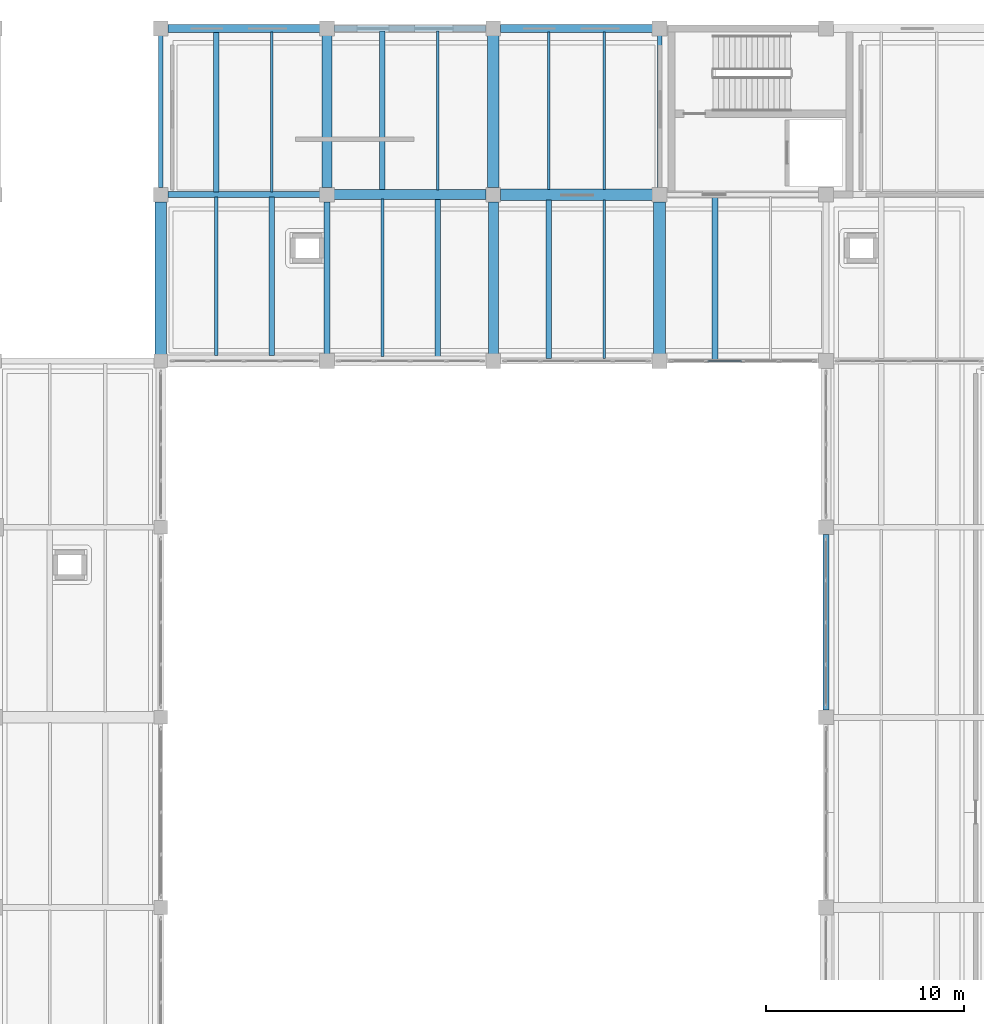
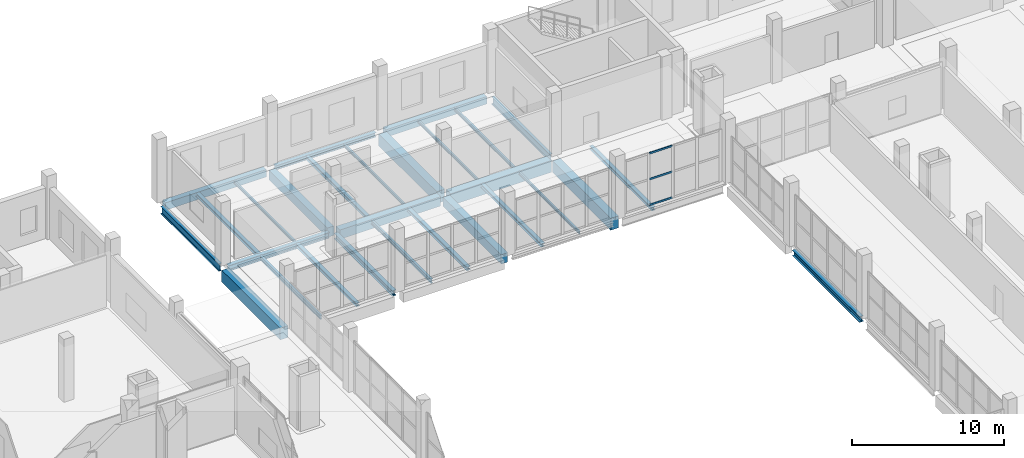
# One storey, part 21 of 66: 28 beams, 3 members, 1 element without a shape of its own.
"""IFC4 building model written with IfcOpenShell, lengths in metres."""

from ifc_helpers import new_model, si_unit, direction, frame, origin, origin_2d, place, context, subcontext, project, spatial, rectangle, hollow_rectangle, i_section, extrude, material, layer, layer_set, material_profile, profile_set, type_object, element, aggregate, save


model = new_model("IFC4")

# Units and contexts
model_context = context("Model", 3, precision=1e-05, world=origin(), true_north=direction((0.0, 1.0)))
body_context = subcontext(model_context, "Body", "Model", "MODEL_VIEW")
ifc_project = project(units=[si_unit("LENGTHUNIT", "METRE"), si_unit("AREAUNIT", "SQUARE_METRE"), si_unit("VOLUMEUNIT", "CUBIC_METRE"), si_unit("PLANEANGLEUNIT", "RADIAN"), si_unit("MASSUNIT", "GRAM", prefix="KILO")], contexts=[model_context])

# Site, building, storey
site_placement = place(None, origin())
site = spatial("IfcSite", under=ifc_project, at=site_placement, CompositionType="ELEMENT")
building_placement = place(site_placement, origin())
building = spatial("IfcBuilding", under=site, at=building_placement, Name="Zulmaris Art Gallery", CompositionType="ELEMENT")
storey_placement = place(building_placement, frame((0.0, 0.0, 5.39990234375)))
storey = spatial("IfcBuildingStorey", under=building, at=storey_placement, Name="L01", CompositionType="ELEMENT", Elevation=5.39990234375)

# Beams
ifc_material_1 = material(Name="Steel S355J2", Category="steel")
ifc_material_profile_1 = material_profile(ifc_material_1, i_section(OverallWidth=0.219970703125, OverallDepth=0.60009765625, WebThickness=0.011962890625, FlangeThickness=0.01904296875, FilletRadius=0.02392578125, at=origin_2d()), Name="IPE 600")
ifc_profile_set_1 = profile_set([ifc_material_profile_1], Name="Steel S355J2")
beam_type_1 = type_object("IfcBeamType", Name="BEAM-BM07", PredefinedType="BEAM", material=ifc_profile_set_1)
for number, where, z_axis, x_axis, name in (
    (1, (91.199951171875, 67.56005859375, -0.6298828125), (0.0, 1.0, 0.0), (-1.0, 0.0, 0.0), "L01 Y-girder (x=91.2, 67.2..75.6)"),
    (2, (116.39990234375, 67.56005859375, -0.6298828125), (0.0, 1.0, 0.0), (-1.0, 0.0, 0.0), "L01 Y-girder (x=116.4, 67.2..75.6)"),
):
    element("IfcBeam", number, at=place(storey_placement, frame(where, z_axis=z_axis, x_axis=x_axis)), inside=storey, type_object=beam_type_1, Name=name, PredefinedType="BEAM", context=body_context, shape_type="SweptSolid", body=[
        extrude(i_section(OverallWidth=0.219970703125, OverallDepth=0.60009765625, WebThickness=0.011962890625, FlangeThickness=0.01904296875, FilletRadius=0.02392578125, at=origin_2d()), origin(), (0.0, 0.0, 1.0), 7.679931640625),
    ])
ifc_material_profile_2 = material_profile(ifc_material_1, i_section(OverallWidth=0.300048828125, OverallDepth=0.449951171875, WebThickness=0.013916015625, FlangeThickness=0.02587890625, FilletRadius=0.027099609375, at=origin_2d()), Name="HEB 450")
ifc_profile_set_2 = profile_set([ifc_material_profile_2], Name="Steel S355J2")
beam_type_2 = type_object("IfcBeamType", Name="BEAM-BM13", PredefinedType="BEAM", material=ifc_profile_set_2)
beam_1_placement = place(storey_placement, frame((91.56005859375, 67.199951171875, -0.554931640625), z_axis=(1.0, 0.0, 0.0), x_axis=(0.0, 1.0, 0.0)))
element("IfcBeam", 3, at=beam_1_placement, inside=storey, type_object=beam_type_2, Name="L01 X-girder (91.2..99.6, y=67.2)", PredefinedType="BEAM", context=body_context, shape_type="SweptSolid", body=[
    extrude(i_section(OverallWidth=0.300048828125, OverallDepth=0.449951171875, WebThickness=0.013916015625, FlangeThickness=0.02587890625, FilletRadius=0.027099609375, at=origin_2d()), origin(), (0.0, 0.0, 1.0), 7.679931640625),
])
beam_2_placement = place(storey_placement, frame((99.60009765625, 59.159912109375, -0.554931640625), z_axis=(0.0, 1.0, 0.0), x_axis=(-1.0, 0.0, 0.0)))
element("IfcBeam", 4, at=beam_2_placement, inside=storey, type_object=beam_type_2, Name="L01 Y-girder (x=99.6, 58.8..67.2)", PredefinedType="BEAM", context=body_context, shape_type="SweptSolid", body=[
    extrude(i_section(OverallWidth=0.300048828125, OverallDepth=0.449951171875, WebThickness=0.013916015625, FlangeThickness=0.02587890625, FilletRadius=0.027099609375, at=origin_2d()), origin(), (0.0, 0.0, 1.0), 7.68017578125),
])
beam_3_placement = place(storey_placement, frame((124.800048828125, 41.159912109375, -0.554931640625), z_axis=(0.0, 1.0, 0.0), x_axis=(-1.0, 0.0, 0.0)))
element("IfcBeam", 5, at=beam_3_placement, inside=storey, type_object=beam_type_2, Name="L01 Y-girder (x=124.8, 40.8..50.4)", PredefinedType="BEAM", context=body_context, shape_type="SweptSolid", body=[
    extrude(i_section(OverallWidth=0.300048828125, OverallDepth=0.449951171875, WebThickness=0.013916015625, FlangeThickness=0.02587890625, FilletRadius=0.027099609375, at=origin_2d()), origin(), (0.0, 0.0, 1.0), 8.880126953125),
])
ifc_material_2 = material(Name="Concrete C40/50", Category="concrete")
ifc_material_profile_3 = material_profile(ifc_material_2, rectangle(XDim=0.5, YDim=0.75, at=origin_2d()), Name="RC 500x750")
ifc_profile_set_3 = profile_set([ifc_material_profile_3], Name="Concrete C40/50")
beam_type_3 = type_object("IfcBeamType", Name="BEAM-BM20", PredefinedType="BEAM", material=ifc_profile_set_3)
for number, where, z_axis, x_axis, name in (
    (6, (99.9599609375, 67.199951171875, -0.704833984375), (1.0, 0.0, 0.0), (0.0, 1.0, 0.0), "L01 X-girder (99.6..108.0, y=67.2)"),
    (7, (99.60009765625, 67.56005859375, -0.704833984375), (0.0, 1.0, 0.0), (-1.0, 0.0, 0.0), "L01 Y-girder (x=99.6, 67.2..75.6)"),
):
    element("IfcBeam", number, at=place(storey_placement, frame(where, z_axis=z_axis, x_axis=x_axis)), inside=storey, type_object=beam_type_3, Name=name, PredefinedType="BEAM", context=body_context, shape_type="SweptSolid", body=[
        extrude(rectangle(XDim=0.5, YDim=0.75, at=origin_2d()), origin(), (0.0, 0.0, 1.0), 7.679931640625),
    ])
beam_4_placement = place(storey_placement, frame((108.0, 59.159912109375, -0.704833984375), z_axis=(0.0, 1.0, 0.0), x_axis=(-1.0, 0.0, 0.0)))
element("IfcBeam", 8, at=beam_4_placement, inside=storey, type_object=beam_type_3, Name="L01 Y-girder (x=108.0, 58.8..67.2)", PredefinedType="BEAM", context=body_context, shape_type="SweptSolid", body=[
    extrude(rectangle(XDim=0.5, YDim=0.75, at=origin_2d()), origin(), (0.0, 0.0, 1.0), 7.68017578125),
])
ifc_material_profile_4 = material_profile(ifc_material_2, rectangle(XDim=0.60009765625, YDim=0.949951171875, at=origin_2d()), Name="RC 600x950")
ifc_profile_set_4 = profile_set([ifc_material_profile_4], Name="Concrete C40/50")
beam_type_4 = type_object("IfcBeamType", Name="BEAM-BM22", PredefinedType="BEAM", material=ifc_profile_set_4)
beam_5_placement = place(storey_placement, frame((108.360107421875, 67.199951171875, -0.804931640625), z_axis=(1.0, 0.0, 0.0), x_axis=(0.0, 1.0, 0.0)))
element("IfcBeam", 9, at=beam_5_placement, inside=storey, type_object=beam_type_4, Name="L01 X-girder (108.0..116.4, y=67.2)", PredefinedType="BEAM", context=body_context, shape_type="SweptSolid", body=[
    extrude(rectangle(XDim=0.60009765625, YDim=0.949951171875, at=origin_2d()), origin(), (0.0, 0.0, 1.0), 7.679931640625),
])
beam_6_placement = place(storey_placement, frame((91.199951171875, 59.135009765625, -0.804931640625), z_axis=(0.0, 1.0, 0.0), x_axis=(-1.0, 0.0, 0.0)))
element("IfcBeam", 10, at=beam_6_placement, inside=storey, type_object=beam_type_4, Name="L01 Y-girder (x=91.2, 58.8..67.2)", PredefinedType="BEAM", context=body_context, shape_type="SweptSolid", body=[
    extrude(rectangle(XDim=0.60009765625, YDim=0.949951171875, at=origin_2d()), origin(), (0.0, 0.0, 1.0), 7.705078125),
])
beam_7_placement = place(storey_placement, frame((108.0, 67.56005859375, -0.804931640625), z_axis=(0.0, 1.0, 0.0), x_axis=(-1.0, 0.0, 0.0)))
element("IfcBeam", 11, at=beam_7_placement, inside=storey, type_object=beam_type_4, Name="L01 Y-girder (x=108.0, 67.2..75.6)", PredefinedType="BEAM", context=body_context, shape_type="SweptSolid", body=[
    extrude(rectangle(XDim=0.60009765625, YDim=0.949951171875, at=origin_2d()), origin(), (0.0, 0.0, 1.0), 7.679931640625),
])
beam_8_placement = place(storey_placement, frame((116.39990234375, 59.159912109375, -0.804931640625), z_axis=(0.0, 1.0, 0.0), x_axis=(-1.0, 0.0, 0.0)))
element("IfcBeam", 12, at=beam_8_placement, inside=storey, type_object=beam_type_4, Name="L01 Y-girder (x=116.4, 58.8..67.2)", PredefinedType="BEAM", context=body_context, shape_type="SweptSolid", body=[
    extrude(rectangle(XDim=0.60009765625, YDim=0.949951171875, at=origin_2d()), origin(), (0.0, 0.0, 1.0), 7.68017578125),
])
ifc_material_profile_5 = material_profile(ifc_material_1, i_section(OverallWidth=0.1201171875, OverallDepth=0.239990234375, WebThickness=0.006103515625, FlangeThickness=0.009765625, FilletRadius=0.014892578125, at=origin_2d()), Name="IPE 240")
ifc_profile_set_5 = profile_set([ifc_material_profile_5], Name="Steel S355J2")
beam_type_5 = type_object("IfcBeamType", Name="BEAM-JS01", PredefinedType="JOIST", material=ifc_profile_set_5)
beam_9_placement = place(storey_placement, frame((96.800048828125, 67.324951171875, -0.449951171875), z_axis=(0.0, 1.0, 0.0), x_axis=(-1.0, 0.0, 0.0)))
element("IfcBeam", 13, at=beam_9_placement, inside=storey, type_object=beam_type_5, Name="L01 secondary joist at x=96.8", PredefinedType="JOIST", context=body_context, shape_type="SweptSolid", body=[
    extrude(i_section(OverallWidth=0.1201171875, OverallDepth=0.239990234375, WebThickness=0.006103515625, FlangeThickness=0.009765625, FilletRadius=0.014892578125, at=origin_2d()), origin(), (0.0, 0.0, 1.0), 8.10009765625),
])
beam_10_placement = place(storey_placement, frame((105.199951171875, 67.425048828125, -0.449951171875), z_axis=(0.0, 1.0, 0.0), x_axis=(-1.0, 0.0, 0.0)))
element("IfcBeam", 14, at=beam_10_placement, inside=storey, type_object=beam_type_5, Name="L01 secondary joist at x=105.2", PredefinedType="JOIST", context=body_context, shape_type="SweptSolid", body=[
    extrude(i_section(OverallWidth=0.1201171875, OverallDepth=0.239990234375, WebThickness=0.006103515625, FlangeThickness=0.009765625, FilletRadius=0.014892578125, at=origin_2d()), origin(), (0.0, 0.0, 1.0), 8.050048828125),
])
beam_11_placement = place(storey_placement, frame((113.60009765625, 58.925048828125, -0.449951171875), z_axis=(0.0, 1.0, 0.0), x_axis=(-1.0, 0.0, 0.0)))
element("IfcBeam", 15, at=beam_11_placement, inside=storey, type_object=beam_type_5, Name="L01 secondary joist at x=113.6", PredefinedType="JOIST", context=body_context, shape_type="SweptSolid", body=[
    extrude(i_section(OverallWidth=0.1201171875, OverallDepth=0.239990234375, WebThickness=0.006103515625, FlangeThickness=0.009765625, FilletRadius=0.014892578125, at=origin_2d()), origin(), (0.0, 0.0, 1.0), 8.0),
])
beam_12_placement = place(storey_placement, frame((110.800048828125, 67.47509765625, -0.449951171875), z_axis=(0.0, 1.0, 0.0), x_axis=(-1.0, 0.0, 0.0)))
element("IfcBeam", 16, at=beam_12_placement, inside=storey, type_object=beam_type_5, Name="L01 secondary joist at x=110.8", PredefinedType="JOIST", context=body_context, shape_type="SweptSolid", body=[
    extrude(i_section(OverallWidth=0.1201171875, OverallDepth=0.239990234375, WebThickness=0.006103515625, FlangeThickness=0.009765625, FilletRadius=0.014892578125, at=origin_2d()), origin(), (0.0, 0.0, 1.0), 7.949951171875),
])
ifc_material_profile_6 = material_profile(ifc_material_1, i_section(OverallWidth=0.135009765625, OverallDepth=0.27001953125, WebThickness=0.006591796875, FlangeThickness=0.01025390625, FilletRadius=0.014892578125, at=origin_2d()), Name="IPE 270")
ifc_profile_set_6 = profile_set([ifc_material_profile_6], Name="Steel S355J2")
beam_type_6 = type_object("IfcBeamType", Name="BEAM-JS02", PredefinedType="JOIST", material=ifc_profile_set_6)
beam_13_placement = place(storey_placement, frame((113.60009765625, 67.47509765625, -0.46484375), z_axis=(0.0, 1.0, 0.0), x_axis=(-1.0, 0.0, 0.0)))
element("IfcBeam", 17, at=beam_13_placement, inside=storey, type_object=beam_type_6, Name="L01 secondary joist at x=113.6", PredefinedType="JOIST", context=body_context, shape_type="SweptSolid", body=[
    extrude(i_section(OverallWidth=0.135009765625, OverallDepth=0.27001953125, WebThickness=0.006591796875, FlangeThickness=0.01025390625, FilletRadius=0.014892578125, at=origin_2d()), origin(), (0.0, 0.0, 1.0), 7.949951171875),
])
ifc_material_profile_7 = material_profile(ifc_material_1, i_section(OverallWidth=0.159912109375, OverallDepth=0.330078125, WebThickness=0.007568359375, FlangeThickness=0.011474609375, FilletRadius=0.01806640625, at=origin_2d()), Name="IPE 330")
ifc_profile_set_7 = profile_set([ifc_material_profile_7], Name="Steel S355J2")
beam_type_7 = type_object("IfcBeamType", Name="BEAM-JS03", PredefinedType="JOIST", material=ifc_profile_set_7)
beam_14_placement = place(storey_placement, frame((94.0, 59.074951171875, -0.494873046875), z_axis=(0.0, 1.0, 0.0), x_axis=(-1.0, 0.0, 0.0)))
element("IfcBeam", 18, at=beam_14_placement, inside=storey, type_object=beam_type_7, Name="L01 secondary joist at x=94.0", PredefinedType="JOIST", context=body_context, shape_type="SweptSolid", body=[
    extrude(i_section(OverallWidth=0.159912109375, OverallDepth=0.330078125, WebThickness=0.007568359375, FlangeThickness=0.011474609375, FilletRadius=0.01806640625, at=origin_2d()), origin(), (0.0, 0.0, 1.0), 8.0),
])
beam_15_placement = place(storey_placement, frame((102.39990234375, 59.02490234375, -0.494873046875), z_axis=(0.0, 1.0, 0.0), x_axis=(-1.0, 0.0, 0.0)))
element("IfcBeam", 19, at=beam_15_placement, inside=storey, type_object=beam_type_7, Name="L01 secondary joist at x=102.4", PredefinedType="JOIST", context=body_context, shape_type="SweptSolid", body=[
    extrude(i_section(OverallWidth=0.159912109375, OverallDepth=0.330078125, WebThickness=0.007568359375, FlangeThickness=0.011474609375, FilletRadius=0.01806640625, at=origin_2d()), origin(), (0.0, 0.0, 1.0), 7.9501953125),
])
ifc_material_profile_8 = material_profile(ifc_material_1, i_section(OverallWidth=0.280029296875, OverallDepth=0.27001953125, WebThickness=0.008056640625, FlangeThickness=0.012939453125, FilletRadius=0.02392578125, at=origin_2d()), Name="HEA 280")
ifc_profile_set_8 = profile_set([ifc_material_profile_8], Name="Steel S355J2")
beam_type_8 = type_object("IfcBeamType", Name="BEAM-JS04", PredefinedType="JOIST", material=ifc_profile_set_8)
beam_16_placement = place(storey_placement, frame((96.800048828125, 59.074951171875, -0.46484375), z_axis=(0.0, 1.0, 0.0), x_axis=(-1.0, 0.0, 0.0)))
element("IfcBeam", 20, at=beam_16_placement, inside=storey, type_object=beam_type_8, Name="L01 secondary joist at x=96.8", PredefinedType="JOIST", context=body_context, shape_type="SweptSolid", body=[
    extrude(i_section(OverallWidth=0.280029296875, OverallDepth=0.27001953125, WebThickness=0.008056640625, FlangeThickness=0.012939453125, FilletRadius=0.02392578125, at=origin_2d()), origin(), (0.0, 0.0, 1.0), 8.0),
])
beam_17_placement = place(storey_placement, frame((94.0, 67.324951171875, -0.46484375), z_axis=(0.0, 1.0, 0.0), x_axis=(-1.0, 0.0, 0.0)))
element("IfcBeam", 21, at=beam_17_placement, inside=storey, type_object=beam_type_8, Name="L01 secondary joist at x=94.0", PredefinedType="JOIST", context=body_context, shape_type="SweptSolid", body=[
    extrude(i_section(OverallWidth=0.280029296875, OverallDepth=0.27001953125, WebThickness=0.008056640625, FlangeThickness=0.012939453125, FilletRadius=0.02392578125, at=origin_2d()), origin(), (0.0, 0.0, 1.0), 8.10009765625),
])
beam_18_placement = place(storey_placement, frame((105.199951171875, 59.02490234375, -0.46484375), z_axis=(0.0, 1.0, 0.0), x_axis=(-1.0, 0.0, 0.0)))
element("IfcBeam", 22, at=beam_18_placement, inside=storey, type_object=beam_type_8, Name="L01 secondary joist at x=105.2", PredefinedType="JOIST", context=body_context, shape_type="SweptSolid", body=[
    extrude(i_section(OverallWidth=0.280029296875, OverallDepth=0.27001953125, WebThickness=0.008056640625, FlangeThickness=0.012939453125, FilletRadius=0.02392578125, at=origin_2d()), origin(), (0.0, 0.0, 1.0), 7.9501953125),
])
beam_19_placement = place(storey_placement, frame((102.39990234375, 67.425048828125, -0.46484375), z_axis=(0.0, 1.0, 0.0), x_axis=(-1.0, 0.0, 0.0)))
element("IfcBeam", 23, at=beam_19_placement, inside=storey, type_object=beam_type_8, Name="L01 secondary joist at x=102.4", PredefinedType="JOIST", context=body_context, shape_type="SweptSolid", body=[
    extrude(i_section(OverallWidth=0.280029296875, OverallDepth=0.27001953125, WebThickness=0.008056640625, FlangeThickness=0.012939453125, FilletRadius=0.02392578125, at=origin_2d()), origin(), (0.0, 0.0, 1.0), 8.050048828125),
])
beam_20_placement = place(storey_placement, frame((110.800048828125, 58.925048828125, -0.46484375), z_axis=(0.0, 1.0, 0.0), x_axis=(-1.0, 0.0, 0.0)))
element("IfcBeam", 24, at=beam_20_placement, inside=storey, type_object=beam_type_8, Name="L01 secondary joist at x=110.8", PredefinedType="JOIST", context=body_context, shape_type="SweptSolid", body=[
    extrude(i_section(OverallWidth=0.280029296875, OverallDepth=0.27001953125, WebThickness=0.008056640625, FlangeThickness=0.012939453125, FilletRadius=0.02392578125, at=origin_2d()), origin(), (0.0, 0.0, 1.0), 8.0),
])
beam_21_placement = place(storey_placement, frame((119.199951171875, 58.885009765625, -0.46484375), z_axis=(0.0, 1.0, 0.0), x_axis=(-1.0, 0.0, 0.0)))
element("IfcBeam", 25, at=beam_21_placement, inside=storey, type_object=beam_type_8, Name="L01 secondary joist at x=119.2", PredefinedType="JOIST", context=body_context, shape_type="SweptSolid", body=[
    extrude(i_section(OverallWidth=0.280029296875, OverallDepth=0.27001953125, WebThickness=0.008056640625, FlangeThickness=0.012939453125, FilletRadius=0.02392578125, at=origin_2d()), origin(), (0.0, 0.0, 1.0), 8.22998046875),
])
ifc_material_profile_9 = material_profile(ifc_material_1, i_section(OverallWidth=0.300048828125, OverallDepth=0.35009765625, WebThickness=0.010009765625, FlangeThickness=0.017578125, FilletRadius=0.027099609375, at=origin_2d()), Name="HEA 360")
ifc_profile_set_9 = profile_set([ifc_material_profile_9], Name="Steel S355J2")
beam_type_9 = type_object("IfcBeamType", Name="BEAM-SP01", PredefinedType="SPANDREL", material=ifc_profile_set_9)
beam_22_placement = place(storey_placement, frame((99.9599609375, 75.60009765625, -0.5048828125), z_axis=(1.0, 0.0, 0.0), x_axis=(0.0, 1.0, 0.0)))
element("IfcBeam", 26, at=beam_22_placement, inside=storey, type_object=beam_type_9, Name="L01 X-girder (99.6..108.0, y=75.6)", PredefinedType="SPANDREL", context=body_context, shape_type="SweptSolid", body=[
    extrude(i_section(OverallWidth=0.300048828125, OverallDepth=0.35009765625, WebThickness=0.010009765625, FlangeThickness=0.017578125, FilletRadius=0.027099609375, at=origin_2d()), origin(), (0.0, 0.0, 1.0), 7.679931640625),
])
ifc_material_profile_10 = material_profile(ifc_material_2, rectangle(XDim=0.39990234375, YDim=0.60009765625, at=origin_2d()), Name="RC 400x600")
ifc_profile_set_10 = profile_set([ifc_material_profile_10], Name="Concrete C40/50")
beam_type_10 = type_object("IfcBeamType", Name="BEAM-SP03", PredefinedType="SPANDREL", material=ifc_profile_set_10)
for number, where, z_axis, x_axis, name in (
    (27, (91.56005859375, 75.60009765625, -0.6298828125), (1.0, 0.0, 0.0), (0.0, 1.0, 0.0), "L01 X-girder (91.2..99.6, y=75.6)"),
    (28, (108.360107421875, 75.60009765625, -0.6298828125), (1.0, 0.0, 0.0), (0.0, 1.0, 0.0), "L01 X-girder (108.0..116.4, y=75.6)"),
):
    element("IfcBeam", number, at=place(storey_placement, frame(where, z_axis=z_axis, x_axis=x_axis)), inside=storey, type_object=beam_type_10, Name=name, PredefinedType="SPANDREL", context=body_context, shape_type="SweptSolid", body=[
        extrude(rectangle(XDim=0.39990234375, YDim=0.60009765625, at=origin_2d()), origin(), (0.0, 0.0, 1.0), 7.679931640625),
    ])

# Curtain wall, members
ifc_material_3 = material(Name="Unitised Low-E Gallery Curtain Wall", Category="aluminium")
ifc_layer = layer(ifc_material_3, 0.179931640625)
ifc_layer_set = layer_set([ifc_layer], Name="Unitised Low-E Gallery Curtain Wall")
curtain_wall_type = type_object("IfcCurtainWallType", Name="CW-CW01", PredefinedType="NOTDEFINED", material=ifc_layer_set)
curtain_wall_placement = place(storey_placement, origin())
curtain_wall = element("IfcCurtainWall", 29, at=curtain_wall_placement, inside=storey, type_object=curtain_wall_type, Name="L01 curtain wall 97", PredefinedType="NOTDEFINED")
ifc_material_4 = material(Name="Anodised Bronze Aluminium", Category="aluminium")
ifc_material_profile_11 = material_profile(ifc_material_4, hollow_rectangle(XDim=0.06494140625, YDim=0.14990234375, WallThickness=0.00390625, InnerFilletRadius=0.006103515625, OuterFilletRadius=0.010009765625, at=origin_2d()), Name="ALU 65x150x4")
ifc_profile_set_11 = profile_set([ifc_material_profile_11], Name="Anodised Bronze Aluminium")
member_type = type_object("IfcMemberType", Name="CWTRN-01", PredefinedType="USERDEFINED", material=ifc_profile_set_11)
member_1_placement = place(storey_placement, frame((118.8076171875, 58.800048828125, 0.03759765625), z_axis=(1.0, 0.0, 0.0), x_axis=(0.0, 1.0, 0.0)))
member_1 = element("IfcMember", 30, at=member_1_placement, type_object=member_type, Name="CW01 transom 2.1", ObjectType="TRANSOM", PredefinedType="USERDEFINED", context=body_context, shape_type="SweptSolid", body=[
    extrude(hollow_rectangle(XDim=0.06494140625, YDim=0.14990234375, WallThickness=0.00390625, InnerFilletRadius=0.006103515625, OuterFilletRadius=0.010009765625, at=origin_2d()), origin(), (0.0, 0.0, 1.0), 1.7548828125),
])
member_2_placement = place(storey_placement, frame((118.8076171875, 58.800048828125, 2.114990234375), z_axis=(1.0, 0.0, 0.0), x_axis=(0.0, 1.0, 0.0)))
member_2 = element("IfcMember", 31, at=member_2_placement, type_object=member_type, Name="CW01 transom 2.2", ObjectType="TRANSOM", PredefinedType="USERDEFINED", context=body_context, shape_type="SweptSolid", body=[
    extrude(hollow_rectangle(XDim=0.06494140625, YDim=0.14990234375, WallThickness=0.00390625, InnerFilletRadius=0.006103515625, OuterFilletRadius=0.010009765625, at=origin_2d()), origin(), (0.0, 0.0, 1.0), 1.7548828125),
])
member_3_placement = place(storey_placement, frame((118.8076171875, 58.800048828125, 4.192626953125), z_axis=(1.0, 0.0, 0.0), x_axis=(0.0, 1.0, 0.0)))
member_3 = element("IfcMember", 32, at=member_3_placement, type_object=member_type, Name="CW01 transom 2.3", ObjectType="TRANSOM", PredefinedType="USERDEFINED", context=body_context, shape_type="SweptSolid", body=[
    extrude(hollow_rectangle(XDim=0.06494140625, YDim=0.14990234375, WallThickness=0.00390625, InnerFilletRadius=0.006103515625, OuterFilletRadius=0.010009765625, at=origin_2d()), origin(), (0.0, 0.0, 1.0), 1.7548828125),
])
aggregate(curtain_wall, [member_1, member_2, member_3])

save(model, "model.ifc")
